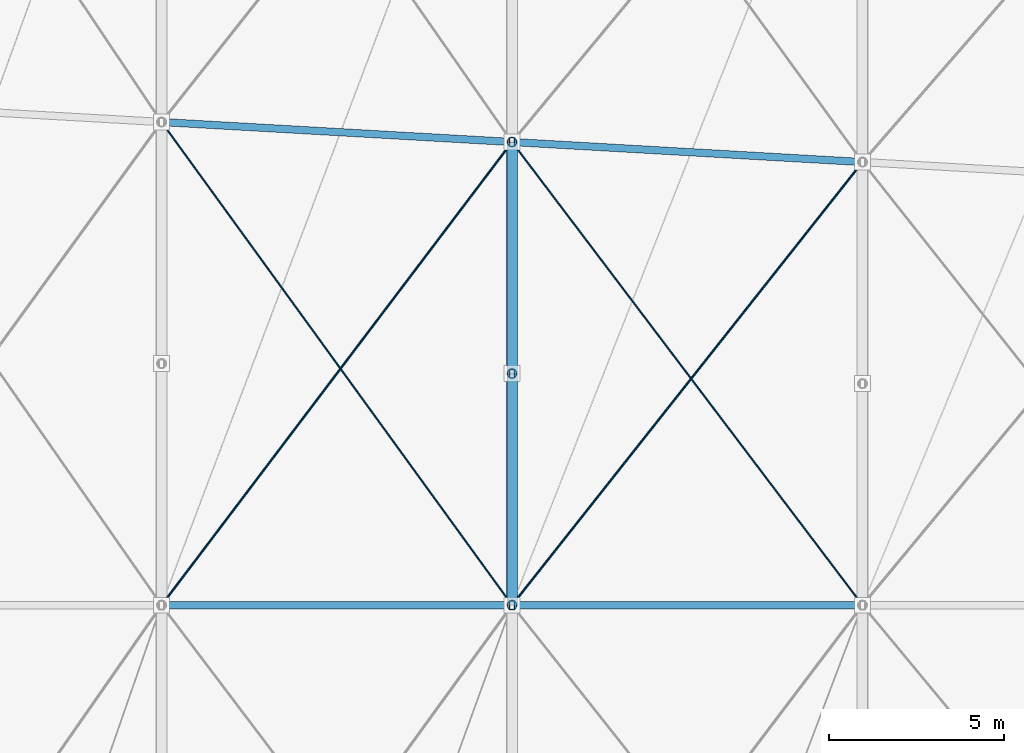
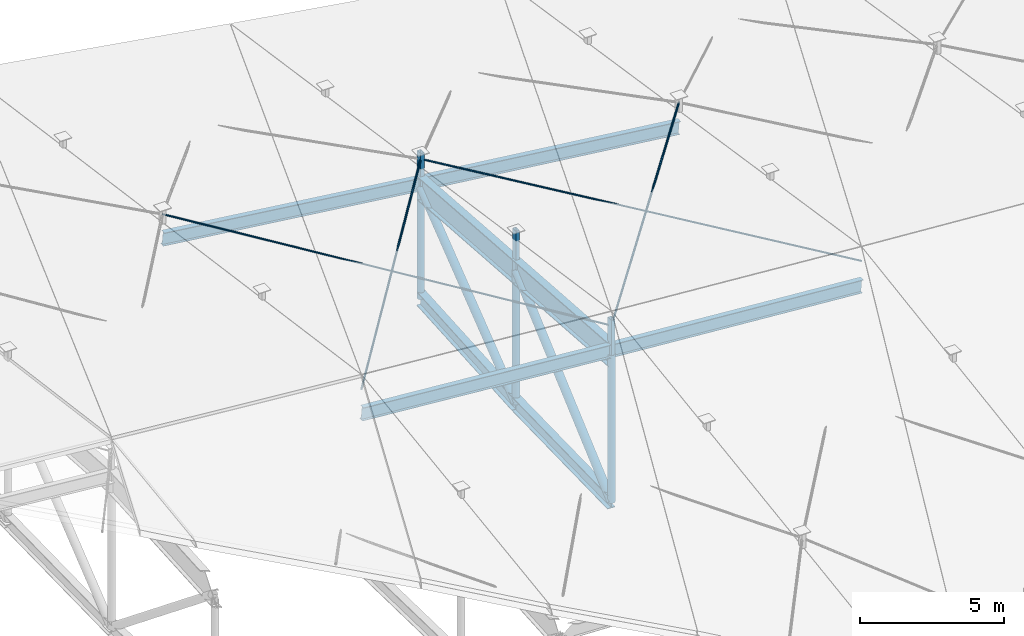
# One storey, part 27 of 68: 12 members, 8 beams.
"""IFC4 building model written with IfcOpenShell, lengths in metres."""

from ifc_helpers import new_model, si_unit, direction, frame, origin, origin_2d, place, context, subcontext, project, spatial, hollow_rectangle, circle, hollow_circle, i_section, extrude, material, material_profile, profile_set, type_object, element, save


model = new_model("IFC4")

# Units and contexts
model_context = context("Model", 3, precision=1e-05, world=origin(), true_north=direction((0.0, 1.0)))
body_context = subcontext(model_context, "Body", "Model", "MODEL_VIEW")
ifc_project = project(units=[si_unit("LENGTHUNIT", "METRE"), si_unit("AREAUNIT", "SQUARE_METRE"), si_unit("VOLUMEUNIT", "CUBIC_METRE"), si_unit("PLANEANGLEUNIT", "RADIAN"), si_unit("MASSUNIT", "GRAM", prefix="KILO")], contexts=[model_context])

# Site, building, storey
site_placement = place(None, origin())
site = spatial("IfcSite", under=ifc_project, at=site_placement, CompositionType="ELEMENT")
building_placement = place(site_placement, origin())
building = spatial("IfcBuilding", under=site, at=building_placement, Name="Sohan Crest Arena", CompositionType="ELEMENT")
storey_placement = place(building_placement, frame((0.0, 0.0, 27.0)))
storey = spatial("IfcBuildingStorey", under=building, at=storey_placement, Name="RF", CompositionType="ELEMENT", Elevation=27.0)

# Beams
ifc_material_1 = material(Name="Steel S355", Category="steel")
ifc_material_profile_1 = material_profile(ifc_material_1, i_section(OverallWidth=0.2099609375, OverallDepth=0.550048828125, WebThickness=0.010986328125, FlangeThickness=0.01708984375, at=origin_2d()), Name="IPE 550")
ifc_profile_set_1 = profile_set([ifc_material_profile_1], Name="Steel S355")
beam_type_1 = type_object("IfcBeamType", Name="STR-BM-B06", PredefinedType="BEAM", material=ifc_profile_set_1)
beam_1_placement = place(storey_placement, frame((128.0, 78.0, 2.787109375), z_axis=(0.99667804862, 0.0, -0.081442417694), x_axis=(0.0, 1.0, 0.0)))
element("IfcBeam", 1, at=beam_1_placement, inside=storey, type_object=beam_type_1, Name="Structural beam RP-RF-3154", PredefinedType="BEAM", context=body_context, shape_type="SweptSolid", body=[
    extrude(i_section(OverallWidth=0.2099609375, OverallDepth=0.550048828125, WebThickness=0.010986328125, FlangeThickness=0.01708984375, at=origin_2d()), origin(), (0.0, 0.0, 1.0), 10.033447265625),
])
beam_2_placement = place(storey_placement, frame((128.0, 91.784912109375, 1.824951171875), z_axis=(0.995068654747, -0.056701421879, -0.081383788901), x_axis=(0.056890135695, 0.998380444751, 0.0)))
element("IfcBeam", 2, at=beam_2_placement, inside=storey, type_object=beam_type_1, Name="Structural beam RP-RF-3155", PredefinedType="BEAM", context=body_context, shape_type="SweptSolid", body=[
    extrude(i_section(OverallWidth=0.2099609375, OverallDepth=0.550048828125, WebThickness=0.010986328125, FlangeThickness=0.01708984375, at=origin_2d()), origin(), (0.0, 0.0, 1.0), 10.049560546875),
])
beam_3_placement = place(storey_placement, frame((138.0, 78.0, 1.969970703125), z_axis=(0.997070786745, 0.0, -0.076484287401), x_axis=(0.0, 1.0, 0.0)))
element("IfcBeam", 3, at=beam_3_placement, inside=storey, type_object=beam_type_1, Name="Structural beam RP-RF-3157", PredefinedType="BEAM", context=body_context, shape_type="SweptSolid", body=[
    extrude(i_section(OverallWidth=0.2099609375, OverallDepth=0.550048828125, WebThickness=0.010986328125, FlangeThickness=0.01708984375, at=origin_2d()), origin(), (0.0, 0.0, 1.0), 10.029296875),
])
beam_4_placement = place(storey_placement, frame((138.0, 91.215087890625, 1.007080078125), z_axis=(0.995460409304, -0.056942474097, -0.076263544053), x_axis=(0.057108792309, 0.998367961145, 0.0)))
element("IfcBeam", 4, at=beam_4_placement, inside=storey, type_object=beam_type_1, Name="Structural beam RP-RF-3158", PredefinedType="BEAM", context=body_context, shape_type="SweptSolid", body=[
    extrude(i_section(OverallWidth=0.2099609375, OverallDepth=0.550048828125, WebThickness=0.010986328125, FlangeThickness=0.01708984375, at=origin_2d()), origin(), (0.0, 0.0, 1.0), 10.045654296875),
])
ifc_material_profile_2 = material_profile(ifc_material_1, i_section(OverallWidth=0.300048828125, OverallDepth=0.60009765625, WebThickness=0.015380859375, FlangeThickness=0.030029296875, at=origin_2d()), Name="HEB 600")
ifc_profile_set_2 = profile_set([ifc_material_profile_2], Name="Steel S355")
beam_type_2 = type_object("IfcBeamType", Name="STR-BM-B15", PredefinedType="BEAM", material=ifc_profile_set_2)
beam_5_placement = place(storey_placement, frame((138.0, 78.0, -4.43994140625), z_axis=(0.0, 0.999742712117, 0.022682803386), x_axis=(-1.0, 0.0, 0.0)))
element("IfcBeam", 5, at=beam_5_placement, inside=storey, type_object=beam_type_2, Name="Structural beam RAB-RF-3089", PredefinedType="BEAM", context=body_context, shape_type="SweptSolid", body=[
    extrude(i_section(OverallWidth=0.300048828125, OverallDepth=0.60009765625, WebThickness=0.015380859375, FlangeThickness=0.030029296875, at=origin_2d()), origin(), (0.0, 0.0, 1.0), 6.608642578125),
])
beam_6_placement = place(storey_placement, frame((138.0, 84.60693359375, -4.2900390625), z_axis=(0.0, 0.997689885571, 0.067932998083), x_axis=(-1.0, 0.0, 0.0)))
element("IfcBeam", 6, at=beam_6_placement, inside=storey, type_object=beam_type_2, Name="Structural beam RAB-RF-3091", PredefinedType="BEAM", context=body_context, shape_type="SweptSolid", body=[
    extrude(i_section(OverallWidth=0.300048828125, OverallDepth=0.60009765625, WebThickness=0.015380859375, FlangeThickness=0.030029296875, at=origin_2d()), origin(), (0.0, 0.0, 1.0), 6.62353515625),
])
ifc_material_profile_3 = material_profile(ifc_material_1, i_section(OverallWidth=0.300048828125, OverallDepth=1.0, WebThickness=0.01904296875, FlangeThickness=0.035888671875, at=origin_2d()), Name="HEB 1000")
ifc_profile_set_3 = profile_set([ifc_material_profile_3], Name="Steel S355")
beam_type_3 = type_object("IfcBeamType", Name="STR-BM-B19", PredefinedType="BEAM", material=ifc_profile_set_3)
beam_7_placement = place(storey_placement, frame((138.0, 78.0, 1.81005859375), z_axis=(0.0, 0.99734829054, -0.072776282931), x_axis=(-1.0, 0.0, 0.0)))
element("IfcBeam", 7, at=beam_7_placement, inside=storey, type_object=beam_type_3, Name="Structural beam RA-RF-3088", PredefinedType="BEAM", context=body_context, shape_type="SweptSolid", body=[
    extrude(i_section(OverallWidth=0.300048828125, OverallDepth=1.0, WebThickness=0.01904296875, FlangeThickness=0.035888671875, at=origin_2d()), origin(), (0.0, 0.0, 1.0), 6.62548828125),
])
beam_8_placement = place(storey_placement, frame((138.0, 84.60791015625, 1.327880859375), z_axis=(0.0, 0.997361064245, -0.072601016021), x_axis=(-1.0, 0.0, 0.0)))
element("IfcBeam", 8, at=beam_8_placement, inside=storey, type_object=beam_type_3, Name="Structural beam RA-RF-3090", PredefinedType="BEAM", context=body_context, shape_type="SweptSolid", body=[
    extrude(i_section(OverallWidth=0.300048828125, OverallDepth=1.0, WebThickness=0.01904296875, FlangeThickness=0.035888671875, at=origin_2d()), origin(), (0.0, 0.0, 1.0), 6.624755859375),
])

# Members
ifc_material_profile_4 = material_profile(ifc_material_1, hollow_circle(Radius=0.136474609375, WallThickness=0.012451171875, at=origin_2d()), Name="CHS 273x12.5")
ifc_profile_set_4 = profile_set([ifc_material_profile_4], Name="Steel S355")
member_type_1 = type_object("IfcMemberType", Name="STR-MEM-BR02", PredefinedType="BRACE", material=ifc_profile_set_4)
member_1_placement = place(storey_placement, frame((138.0, 78.0, -4.43994140625), z_axis=(0.0, 0.0, 1.0), x_axis=(1.0, 0.0, 0.0)))
element("IfcMember", 9, at=member_1_placement, inside=storey, type_object=member_type_1, Name="Lenticular roof truss web strut TW-173", PredefinedType="BRACE", context=body_context, shape_type="SweptSolid", body=[
    extrude(hollow_circle(Radius=0.136474609375, WallThickness=0.012451171875, at=origin_2d()), origin(), (0.0, 0.0, 1.0), 6.25),
])
member_2_placement = place(storey_placement, frame((138.0, 84.60693359375, -4.2900390625), z_axis=(0.0, 0.000173829905, 0.999999984892), x_axis=(1.0, 0.0, 0.0)))
element("IfcMember", 10, at=member_2_placement, inside=storey, type_object=member_type_1, Name="Lenticular roof truss web strut TW-175", PredefinedType="BRACE", context=body_context, shape_type="SweptSolid", body=[
    extrude(hollow_circle(Radius=0.136474609375, WallThickness=0.012451171875, at=origin_2d()), origin(), (0.0, 0.0, 1.0), 5.617919921875),
])
member_3_placement = place(storey_placement, frame((138.0, 91.215087890625, -3.840087890625), z_axis=(0.0, 0.0, 1.0), x_axis=(1.0, 0.0, 0.0)))
element("IfcMember", 11, at=member_3_placement, inside=storey, type_object=member_type_1, Name="Lenticular roof truss web strut TW-177", PredefinedType="BRACE", context=body_context, shape_type="SweptSolid", body=[
    extrude(hollow_circle(Radius=0.136474609375, WallThickness=0.012451171875, at=origin_2d()), origin(), (0.0, 0.0, 1.0), 4.68701171875),
])
ifc_material_profile_5 = material_profile(ifc_material_1, hollow_circle(Radius=0.161865234375, WallThickness=0.012451171875, at=origin_2d()), Name="CHS 323.9x12.5")
ifc_profile_set_5 = profile_set([ifc_material_profile_5], Name="Steel S355")
member_type_2 = type_object("IfcMemberType", Name="STR-MEM-BR03", PredefinedType="BRACE", material=ifc_profile_set_5)
member_4_placement = place(storey_placement, frame((138.0, 78.0, -4.43994140625), z_axis=(0.0, 0.753372757059, 0.657593711133), x_axis=(-1.0, 0.0, 0.0)))
element("IfcMember", 12, at=member_4_placement, inside=storey, type_object=member_type_2, Name="Lenticular roof truss web diagonal TD-174", PredefinedType="BRACE", context=body_context, shape_type="SweptSolid", body=[
    extrude(hollow_circle(Radius=0.161865234375, WallThickness=0.012451171875, at=origin_2d()), origin(), (0.0, 0.0, 1.0), 8.77099609375),
])
member_5_placement = place(storey_placement, frame((138.0, 84.60693359375, -4.2900390625), z_axis=(0.0, 0.789509253787, 0.613738656258), x_axis=(-1.0, 0.0, 0.0)))
element("IfcMember", 13, at=member_5_placement, inside=storey, type_object=member_type_2, Name="Lenticular roof truss web diagonal TD-176", PredefinedType="BRACE", context=body_context, shape_type="SweptSolid", body=[
    extrude(hollow_circle(Radius=0.161865234375, WallThickness=0.012451171875, at=origin_2d()), origin(), (0.0, 0.0, 1.0), 8.369873046875),
])
ifc_material_2 = material(Name="Steel S460", Category="steel")
ifc_material_profile_6 = material_profile(ifc_material_2, circle(Radius=0.031982421875, at=origin_2d()), Name="FLC D64")
ifc_profile_set_6 = profile_set([ifc_material_profile_6], Name="Steel S460")
member_type_3 = type_object("IfcMemberType", Name="STR-MEM-CB01", PredefinedType="USERDEFINED", material=ifc_profile_set_6)
member_6_placement = place(storey_placement, frame((128.0, 78.0, 3.806884765625), z_axis=(0.599969324541, 0.792864735548, -0.106781649802), x_axis=(-0.797424011561, 0.603419378033, 0.0)))
element("IfcMember", 14, at=member_6_placement, inside=storey, type_object=member_type_3, Name="Full-locked-coil roof cable CB-029", ObjectType="CABLE", PredefinedType="USERDEFINED", context=body_context, shape_type="SweptSolid", body=[
    extrude(circle(Radius=0.031982421875, at=origin_2d()), origin(), (0.0, 0.0, 1.0), 16.66748046875),
])
member_7_placement = place(storey_placement, frame((138.0, 78.0, 2.989990234375), z_axis=(0.616818078397, 0.779847192575, -0.106648086699), x_axis=(-0.784320304822, 0.620356074721, 0.0)))
element("IfcMember", 15, at=member_7_placement, inside=storey, type_object=member_type_3, Name="Full-locked-coil roof cable CB-037", ObjectType="CABLE", PredefinedType="USERDEFINED", context=body_context, shape_type="SweptSolid", body=[
    extrude(circle(Radius=0.031982421875, at=origin_2d()), origin(), (0.0, 0.0, 1.0), 16.212158203125),
])
ifc_material_profile_7 = material_profile(ifc_material_2, circle(Radius=0.02587890625, at=origin_2d()), Name="FLC D52")
ifc_profile_set_7 = profile_set([ifc_material_profile_7], Name="Steel S460")
member_type_4 = type_object("IfcMemberType", Name="STR-MEM-CB02", PredefinedType="USERDEFINED", material=ifc_profile_set_7)
member_8_placement = place(storey_placement, frame((128.0, 91.784912109375, 2.844970703125), z_axis=(0.587174834145, -0.809415348152, 0.008515181921), x_axis=(0.809444694423, 0.587196122834, 0.0)))
element("IfcMember", 16, at=member_8_placement, inside=storey, type_object=member_type_4, Name="Full-locked-coil roof cable CB-030", ObjectType="CABLE", PredefinedType="USERDEFINED", context=body_context, shape_type="SweptSolid", body=[
    extrude(circle(Radius=0.02587890625, at=origin_2d()), origin(), (0.0, 0.0, 1.0), 17.03076171875),
])
member_9_placement = place(storey_placement, frame((138.0, 91.215087890625, 2.027099609375), z_axis=(0.603377265522, -0.797368359508, 0.011814173998), x_axis=(0.797424011561, 0.603419378033, 0.0)))
element("IfcMember", 17, at=member_9_placement, inside=storey, type_object=member_type_4, Name="Full-locked-coil roof cable CB-038", ObjectType="CABLE", PredefinedType="USERDEFINED", context=body_context, shape_type="SweptSolid", body=[
    extrude(circle(Radius=0.02587890625, at=origin_2d()), origin(), (0.0, 0.0, 1.0), 16.573486328125),
])
ifc_material_profile_8 = material_profile(ifc_material_1, hollow_rectangle(XDim=0.14990234375, YDim=0.25, WallThickness=0.010009765625, at=origin_2d()), Name="RHS 250x150x10")
ifc_profile_set_8 = profile_set([ifc_material_profile_8], Name="Steel S355")
member_type_5 = type_object("IfcMemberType", Name="STR-MEM-CH02", PredefinedType="CHORD", material=ifc_profile_set_8)
member_10_placement = place(storey_placement, frame((138.0, 78.0, 1.81005859375), z_axis=(0.0, 0.0, 1.0), x_axis=(1.0, 0.0, 0.0)))
element("IfcMember", 18, at=member_10_placement, inside=storey, type_object=member_type_5, Name="Roof deck bearing saddle chord RSP-161", PredefinedType="CHORD", context=body_context, shape_type="SweptSolid", body=[
    extrude(hollow_rectangle(XDim=0.14990234375, YDim=0.25, WallThickness=0.010009765625, at=origin_2d()), origin(), (0.0, 0.0, 1.0), 1.489990234375),
])
member_11_placement = place(storey_placement, frame((138.0, 84.60791015625, 1.327880859375), z_axis=(0.0, -0.000564095242, 0.999999840898), x_axis=(1.0, 0.0, 0.0)))
element("IfcMember", 19, at=member_11_placement, inside=storey, type_object=member_type_5, Name="Roof deck bearing saddle chord RSP-162", PredefinedType="CHORD", context=body_context, shape_type="SweptSolid", body=[
    extrude(hollow_rectangle(XDim=0.14990234375, YDim=0.25, WallThickness=0.010009765625, at=origin_2d()), origin(), (0.0, 0.0, 1.0), 1.731201171875),
])
member_12_placement = place(storey_placement, frame((138.0, 91.215087890625, 0.846923828125), z_axis=(0.0, 0.0, 1.0), x_axis=(1.0, 0.0, 0.0)))
element("IfcMember", 20, at=member_12_placement, inside=storey, type_object=member_type_5, Name="Roof deck bearing saddle chord RSP-163", PredefinedType="CHORD", context=body_context, shape_type="SweptSolid", body=[
    extrude(hollow_rectangle(XDim=0.14990234375, YDim=0.25, WallThickness=0.010009765625, at=origin_2d()), origin(), (0.0, 0.0, 1.0), 1.489990234375),
])

save(model, "model.ifc")
